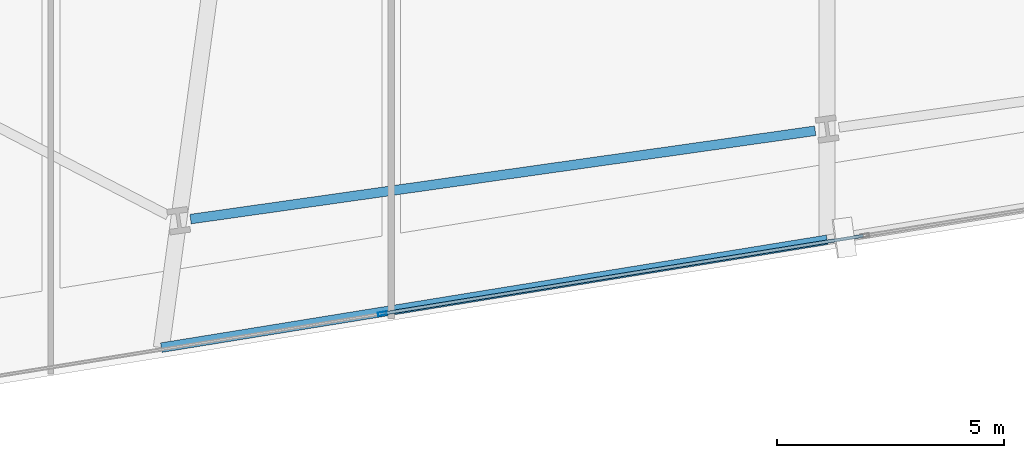
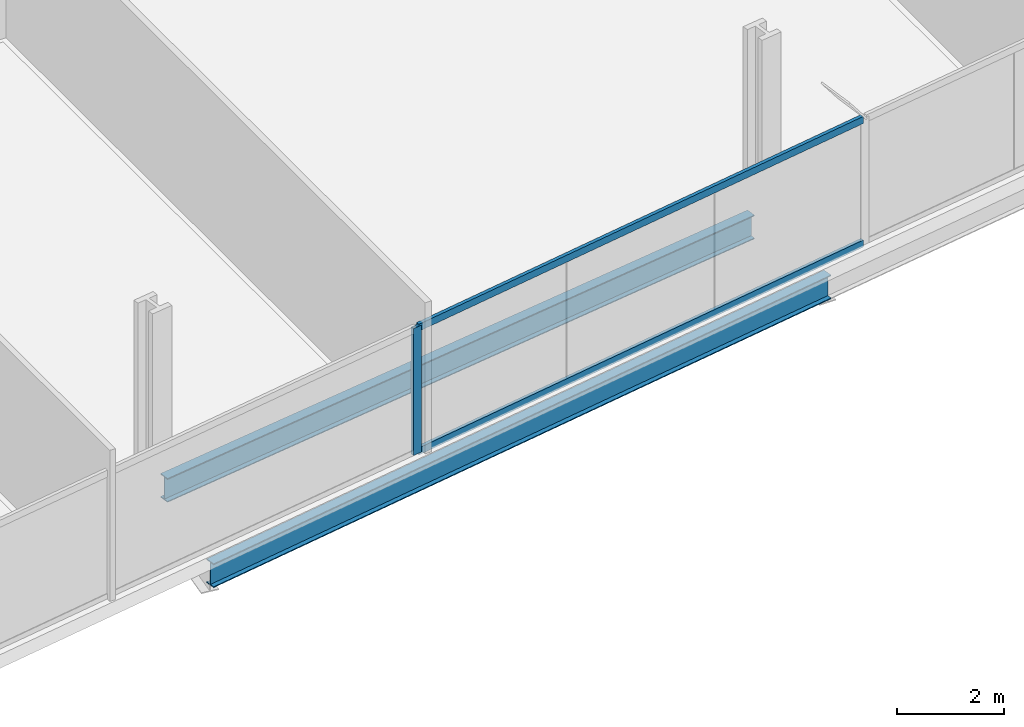
# One storey, part 5 of 33: 3 members, 2 beams, 1 element without a shape of its own.
"""IFC4 building model written with IfcOpenShell, lengths in metres."""

from ifc_helpers import new_model, si_unit, direction, frame, origin, origin_2d, place, context, subcontext, project, spatial, hollow_rectangle, i_section, extrude, material, material_profile, profile_set, type_object, element, aggregate, save


model = new_model("IFC4")

# Units and contexts
model_context = context("Model", 3, precision=1e-05, world=origin(), true_north=direction((0.0, 1.0)))
body_context = subcontext(model_context, "Body", "Model", "MODEL_VIEW")
ifc_project = project(units=[si_unit("LENGTHUNIT", "METRE"), si_unit("AREAUNIT", "SQUARE_METRE"), si_unit("VOLUMEUNIT", "CUBIC_METRE"), si_unit("PLANEANGLEUNIT", "RADIAN"), si_unit("MASSUNIT", "GRAM", prefix="KILO")], contexts=[model_context])

# Site, building, storey
site_placement = place(None, origin())
site = spatial("IfcSite", under=ifc_project, at=site_placement, CompositionType="ELEMENT")
building_placement = place(site_placement, origin())
building = spatial("IfcBuilding", under=site, at=building_placement, Name="Haldenkirk Collegiate Tower", CompositionType="ELEMENT")
storey_placement = place(building_placement, frame((0.0, 0.0, 58.949951171875)))
storey = spatial("IfcBuildingStorey", under=building, at=storey_placement, Name="L13", CompositionType="ELEMENT", Elevation=58.949951171875)

# Beams
ifc_material_1 = material(Name="Steel ASTM A992 Grade 50", Category="steel")
ifc_material_profile_1 = material_profile(ifc_material_1, i_section(OverallWidth=0.2119140625, OverallDepth=0.5439453125, WebThickness=0.01318359375, FlangeThickness=0.021240234375, at=origin_2d()), Name="W21X83")
ifc_profile_set_1 = profile_set([ifc_material_profile_1], Name="Steel ASTM A992 Grade 50")
beam_type = type_object("IfcBeamType", Name="BM-SPANDREL-W21X83", PredefinedType="SPANDREL", material=ifc_profile_set_1)
beam_1_placement = place(storey_placement, frame((25.076904296875, 2.0341796875, -0.58203125), z_axis=(0.990146197746, 0.14003752029, 0.0), x_axis=(-0.14003752029, 0.990146197746, 0.0)))
element("IfcBeam", 1, at=beam_1_placement, inside=storey, type_object=beam_type, Name="L13 perimeter spandrel beam 02", PredefinedType="SPANDREL", context=body_context, shape_type="SweptSolid", body=[
    extrude(i_section(OverallWidth=0.2119140625, OverallDepth=0.5439453125, WebThickness=0.01318359375, FlangeThickness=0.021240234375, at=origin_2d()), origin(), (0.0, 0.0, 1.0), 13.906982421875),
])
beam_2_placement = place(storey_placement, frame((24.433349609375, -0.799072265625, -0.58203125), z_axis=(0.987135895909, 0.159883466962, 0.0), x_axis=(-0.159883466962, 0.987135895909, 0.0)))
element("IfcBeam", 2, at=beam_2_placement, inside=storey, type_object=beam_type, Name="L13 outer facade edge beam 1A", PredefinedType="SPANDREL", context=body_context, shape_type="SweptSolid", body=[
    extrude(i_section(OverallWidth=0.2119140625, OverallDepth=0.5439453125, WebThickness=0.01318359375, FlangeThickness=0.021240234375, at=origin_2d()), origin(), (0.0, 0.0, 1.0), 14.86669921875),
])

# Curtain wall, members
ifc_material_2 = material(Name="Anodised architectural bronze aluminium", Category="aluminium")
curtain_wall_type = type_object("IfcCurtainWallType", Name="CW-SYS2-CONCAVE", PredefinedType="USERDEFINED", material=ifc_material_2)
curtain_wall_placement = place(storey_placement, origin())
curtain_wall = element("IfcCurtainWall", 3, at=curtain_wall_placement, inside=storey, type_object=curtain_wall_type, Name="L13 South concave recessed bronze-anodised curtain wall", ObjectType="UNITISED CURTAIN WALL", PredefinedType="USERDEFINED")
ifc_material_profile_2 = material_profile(ifc_material_2, hollow_rectangle(XDim=0.074951171875, YDim=0.18994140625, WallThickness=0.0048828125, at=origin_2d()), Name="CW-MUL-02")
ifc_profile_set_2 = profile_set([ifc_material_profile_2], Name="Anodised architectural bronze aluminium")
member_type_1 = type_object("IfcMemberType", Name="CW-MUL-02", PredefinedType="MULLION", material=ifc_profile_set_2)
member_1_placement = place(storey_placement, frame((29.3037109375, -0.05078125, 0.0), z_axis=(0.0, 0.0, 1.0), x_axis=(0.159881193222, -0.987136264177, 0.0)))
member_1 = element("IfcMember", 4, at=member_1_placement, type_object=member_type_1, Name="CW-02 mullion 4", PredefinedType="MULLION", context=body_context, shape_type="SweptSolid", body=[
    extrude(hollow_rectangle(XDim=0.074951171875, YDim=0.18994140625, WallThickness=0.0048828125, at=origin_2d()), origin(), (0.0, 0.0, 1.0), 2.89111328125),
])
ifc_material_profile_3 = material_profile(ifc_material_2, hollow_rectangle(XDim=0.074951171875, YDim=0.159912109375, WallThickness=0.0048828125, at=origin_2d()), Name="CW-TRN-02")
ifc_profile_set_3 = profile_set([ifc_material_profile_3], Name="Anodised architectural bronze aluminium")
member_type_2 = type_object("IfcMemberType", Name="CW-TRN-02", PredefinedType="USERDEFINED", material=ifc_profile_set_3)
member_2_placement = place(storey_placement, frame((39.9033203125, 1.666015625, 0.03759765625), z_axis=(-0.98713712559, -0.159875874607, 0.0), x_axis=(0.159875874607, -0.98713712559, 0.0)))
member_2 = element("IfcMember", 5, at=member_2_placement, type_object=member_type_2, Name="CW-02 transom 3.1", ObjectType="TRANSOM", PredefinedType="USERDEFINED", context=body_context, shape_type="SweptSolid", body=[
    extrude(hollow_rectangle(XDim=0.074951171875, YDim=0.159912109375, WallThickness=0.0048828125, at=origin_2d()), origin(), (0.0, 0.0, 1.0), 10.7001953125),
])
member_3_placement = place(storey_placement, frame((39.9033203125, 1.666015625, 2.853515625), z_axis=(-0.98713712559, -0.159875874607, 0.0), x_axis=(0.159875874607, -0.98713712559, 0.0)))
member_3 = element("IfcMember", 6, at=member_3_placement, type_object=member_type_2, Name="CW-02 transom 3.2", ObjectType="TRANSOM", PredefinedType="USERDEFINED", context=body_context, shape_type="SweptSolid", body=[
    extrude(hollow_rectangle(XDim=0.074951171875, YDim=0.159912109375, WallThickness=0.0048828125, at=origin_2d()), origin(), (0.0, 0.0, 1.0), 10.7001953125),
])
aggregate(curtain_wall, [member_1, member_2, member_3])

save(model, "model.ifc")
